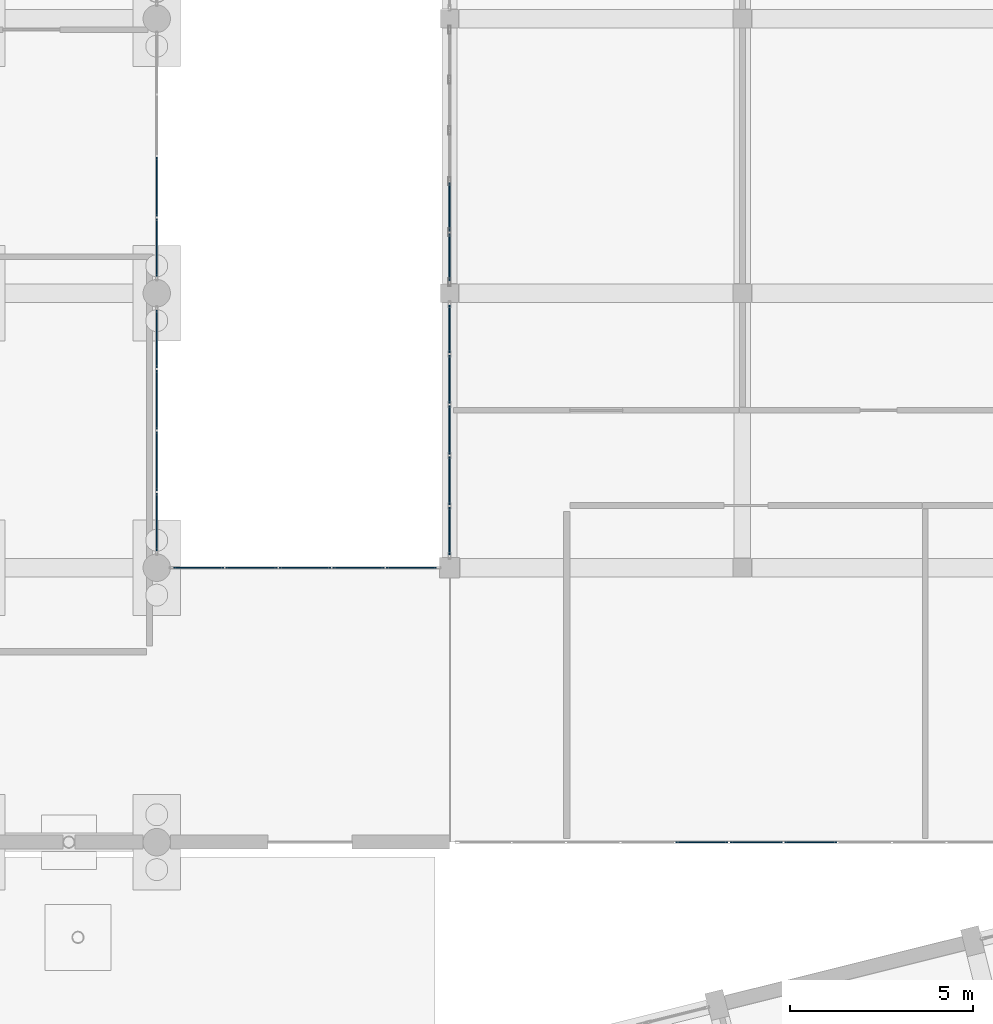
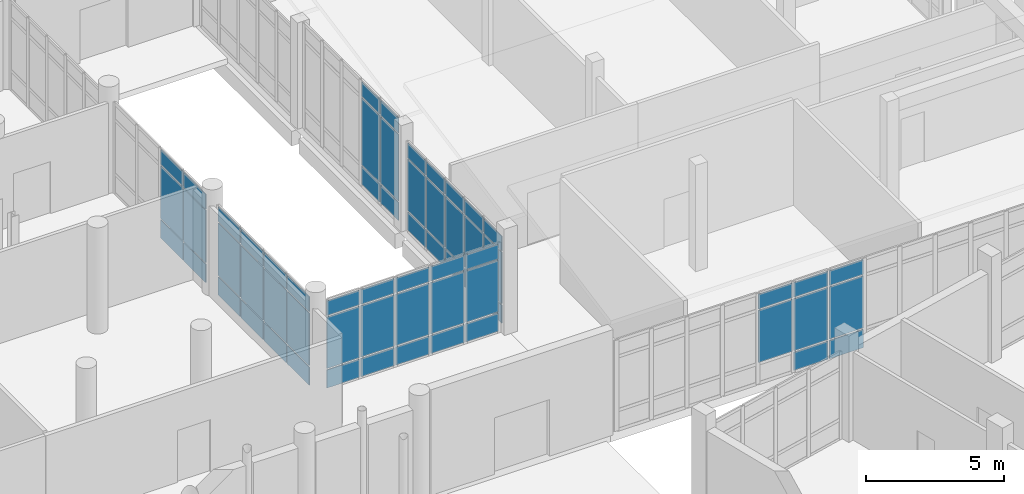
# One storey, part 132 of 173: 62 plates, 6 elements without a shape of their own.
"""IFC4 building model written with IfcOpenShell, lengths in metres."""

from ifc_helpers import new_model, si_unit, direction, frame, origin, origin_2d, place, context, subcontext, project, spatial, rectangle, extrude, material, layer, layer_set, type_object, element, aggregate, save


model = new_model("IFC4")

# Units and contexts
model_context = context("Model", 3, precision=1e-05, world=origin(), true_north=direction((0.0, 1.0)))
body_context = subcontext(model_context, "Body", "Model", "MODEL_VIEW")
ifc_project = project(units=[si_unit("LENGTHUNIT", "METRE"), si_unit("AREAUNIT", "SQUARE_METRE"), si_unit("VOLUMEUNIT", "CUBIC_METRE"), si_unit("PLANEANGLEUNIT", "RADIAN"), si_unit("MASSUNIT", "GRAM", prefix="KILO")], contexts=[model_context])

# Site, building, storey
site_placement = place(None, origin())
site = spatial("IfcSite", under=ifc_project, at=site_placement, CompositionType="ELEMENT")
building_placement = place(site_placement, origin())
building = spatial("IfcBuilding", under=site, at=building_placement, Name="Mawjan Specialist Oncology Clinic", CompositionType="ELEMENT")
storey_placement = place(building_placement, origin())
storey = spatial("IfcBuildingStorey", under=building, at=storey_placement, Name="L00", CompositionType="ELEMENT", Elevation=0.0)

# Curtain wall, plates
ifc_material_1 = material(Name="Unitised spectrally selective aluminium curtain wall", Category="aluminium")
ifc_layer_1 = layer(ifc_material_1, 0.179931640625, Name="Unitised spectrally selective aluminium curtain wall", Category="aluminium")
ifc_layer_set_1 = layer_set([ifc_layer_1], Name="Unitised spectrally selective aluminium curtain wall")
curtain_wall_type_1 = type_object("IfcCurtainWallType", Name="CW-20", PredefinedType="NOTDEFINED", material=ifc_layer_set_1)
curtain_wall_1_placement = place(storey_placement, origin())
curtain_wall_1 = element("IfcCurtainWall", 1, at=curtain_wall_1_placement, inside=storey, type_object=curtain_wall_type_1, Name="L00 Unitised Curtain Wall CW-L00-036", PredefinedType="NOTDEFINED")
ifc_material_2 = material(Name="Spectrally selective double low-E glazing", Category="glass")
ifc_layer_2 = layer(ifc_material_2, 0.035888671875, Name="Spectrally selective double low-E glazing", Category="glass")
ifc_layer_set_2 = layer_set([ifc_layer_2], Name="Spectrally selective double low-E glazing")
plate_type = type_object("IfcPlateType", Name="CW-P36", PredefinedType="CURTAIN_PANEL", material=ifc_layer_set_2)
plate_1_placement = place(storey_placement, frame((125.86328125, 45.800048828125, 0.06494140625), z_axis=(0.0, 0.0, 1.0), x_axis=(-1.0, 0.0, 0.0)))
plate_1 = element("IfcPlate", 2, at=plate_1_placement, type_object=plate_type, Name="CW-20 panel 9.1", PredefinedType="CURTAIN_PANEL", context=body_context, shape_type="SweptSolid", body=[
    extrude(rectangle(XDim=1.41943359375, YDim=0.035888671875, at=origin_2d()), origin(), (0.0, 0.0, 1.0), 0.802490234375),
])
plate_2_placement = place(storey_placement, frame((125.86328125, 45.800048828125, 0.932373046875), z_axis=(0.0, 0.0, 1.0), x_axis=(-1.0, 0.0, 0.0)))
plate_2 = element("IfcPlate", 3, at=plate_2_placement, type_object=plate_type, Name="CW-20 panel 9.2", PredefinedType="CURTAIN_PANEL", context=body_context, shape_type="SweptSolid", body=[
    extrude(rectangle(XDim=1.41943359375, YDim=0.035888671875, at=origin_2d()), origin(), (0.0, 0.0, 1.0), 2.3046875),
])
plate_3_placement = place(storey_placement, frame((125.86328125, 45.800048828125, 3.30224609375), z_axis=(0.0, 0.0, 1.0), x_axis=(-1.0, 0.0, 0.0)))
plate_3 = element("IfcPlate", 4, at=plate_3_placement, type_object=plate_type, Name="CW-20 panel 9.3", PredefinedType="CURTAIN_PANEL", context=body_context, shape_type="SweptSolid", body=[
    extrude(rectangle(XDim=1.41943359375, YDim=0.035888671875, at=origin_2d()), origin(), (0.0, 0.0, 1.0), 0.652587890625),
])
plate_4_placement = place(storey_placement, frame((124.37890625, 45.800048828125, 0.06494140625), z_axis=(0.0, 0.0, 1.0), x_axis=(-1.0, 0.0, 0.0)))
plate_4 = element("IfcPlate", 5, at=plate_4_placement, type_object=plate_type, Name="CW-20 panel 10.1", PredefinedType="CURTAIN_PANEL", context=body_context, shape_type="SweptSolid", body=[
    extrude(rectangle(XDim=1.41943359375, YDim=0.035888671875, at=origin_2d()), origin(), (0.0, 0.0, 1.0), 0.802490234375),
])
plate_5_placement = place(storey_placement, frame((124.37890625, 45.800048828125, 0.932373046875), z_axis=(0.0, 0.0, 1.0), x_axis=(-1.0, 0.0, 0.0)))
plate_5 = element("IfcPlate", 6, at=plate_5_placement, type_object=plate_type, Name="CW-20 panel 10.2", PredefinedType="CURTAIN_PANEL", context=body_context, shape_type="SweptSolid", body=[
    extrude(rectangle(XDim=1.41943359375, YDim=0.035888671875, at=origin_2d()), origin(), (0.0, 0.0, 1.0), 2.3046875),
])
plate_6_placement = place(storey_placement, frame((124.37890625, 45.800048828125, 3.30224609375), z_axis=(0.0, 0.0, 1.0), x_axis=(-1.0, 0.0, 0.0)))
plate_6 = element("IfcPlate", 7, at=plate_6_placement, type_object=plate_type, Name="CW-20 panel 10.3", PredefinedType="CURTAIN_PANEL", context=body_context, shape_type="SweptSolid", body=[
    extrude(rectangle(XDim=1.41943359375, YDim=0.035888671875, at=origin_2d()), origin(), (0.0, 0.0, 1.0), 0.652587890625),
])
plate_7_placement = place(storey_placement, frame((122.89453125, 45.800048828125, 0.932373046875), z_axis=(0.0, 0.0, 1.0), x_axis=(-1.0, 0.0, 0.0)))
plate_7 = element("IfcPlate", 8, at=plate_7_placement, type_object=plate_type, Name="CW-20 panel 11.2", PredefinedType="CURTAIN_PANEL", context=body_context, shape_type="SweptSolid", body=[
    extrude(rectangle(XDim=1.41943359375, YDim=0.035888671875, at=origin_2d()), origin(), (0.0, 0.0, 1.0), 2.3046875),
])
plate_8_placement = place(storey_placement, frame((122.89453125, 45.800048828125, 3.30224609375), z_axis=(0.0, 0.0, 1.0), x_axis=(-1.0, 0.0, 0.0)))
plate_8 = element("IfcPlate", 9, at=plate_8_placement, type_object=plate_type, Name="CW-20 panel 11.3", PredefinedType="CURTAIN_PANEL", context=body_context, shape_type="SweptSolid", body=[
    extrude(rectangle(XDim=1.41943359375, YDim=0.035888671875, at=origin_2d()), origin(), (0.0, 0.0, 1.0), 0.652587890625),
])
aggregate(curtain_wall_1, [plate_1, plate_2, plate_3, plate_4, plate_5, plate_6, plate_7, plate_8])

ifc_material_3 = material(Name="Unitised spectrally selective aluminium curtain wall", Category="aluminium")
ifc_layer_3 = layer(ifc_material_3, 0.179931640625, Name="Unitised spectrally selective aluminium curtain wall", Category="aluminium")
ifc_layer_set_3 = layer_set([ifc_layer_3], Name="Unitised spectrally selective aluminium curtain wall")
curtain_wall_type_2 = type_object("IfcCurtainWallType", Name="CW-30", PredefinedType="NOTDEFINED", material=ifc_layer_set_3)
curtain_wall_2_placement = place(storey_placement, origin())
curtain_wall_2 = element("IfcCurtainWall", 10, at=curtain_wall_2_placement, inside=storey, type_object=curtain_wall_type_2, Name="L00 Unitised Curtain Wall CW-L00-064", PredefinedType="NOTDEFINED")
plate_9_placement = place(storey_placement, frame((116.0, 54.3046875, 0.06494140625), z_axis=(0.0, 0.0, 1.0), x_axis=(0.0, 1.0, 0.0)))
plate_9 = element("IfcPlate", 11, at=plate_9_placement, type_object=plate_type, Name="CW-30 panel 1.1", PredefinedType="CURTAIN_PANEL", context=body_context, shape_type="SweptSolid", body=[
    extrude(rectangle(XDim=1.28955078125, YDim=0.035888671875, at=origin_2d()), origin(), (0.0, 0.0, 1.0), 0.802490234375),
])
plate_10_placement = place(storey_placement, frame((116.0, 54.3046875, 0.932373046875), z_axis=(0.0, 0.0, 1.0), x_axis=(0.0, 1.0, 0.0)))
plate_10 = element("IfcPlate", 12, at=plate_10_placement, type_object=plate_type, Name="CW-30 panel 1.2", PredefinedType="CURTAIN_PANEL", context=body_context, shape_type="SweptSolid", body=[
    extrude(rectangle(XDim=1.28955078125, YDim=0.035888671875, at=origin_2d()), origin(), (0.0, 0.0, 1.0), 2.27001953125),
])
plate_11_placement = place(storey_placement, frame((116.0, 54.3046875, 3.267578125), z_axis=(0.0, 0.0, 1.0), x_axis=(0.0, 1.0, 0.0)))
plate_11 = element("IfcPlate", 13, at=plate_11_placement, type_object=plate_type, Name="CW-30 panel 1.3", PredefinedType="CURTAIN_PANEL", context=body_context, shape_type="SweptSolid", body=[
    extrude(rectangle(XDim=1.28955078125, YDim=0.035888671875, at=origin_2d()), origin(), (0.0, 0.0, 1.0), 0.652587890625),
])
plate_12_placement = place(storey_placement, frame((116.0, 55.675537109375, 0.06494140625), z_axis=(0.0, 0.0, 1.0), x_axis=(0.0, 1.0, 0.0)))
plate_12 = element("IfcPlate", 14, at=plate_12_placement, type_object=plate_type, Name="CW-30 panel 2.1", PredefinedType="CURTAIN_PANEL", context=body_context, shape_type="SweptSolid", body=[
    extrude(rectangle(XDim=1.322021484375, YDim=0.035888671875, at=origin_2d()), origin(), (0.0, 0.0, 1.0), 0.802490234375),
])
plate_13_placement = place(storey_placement, frame((116.0, 55.675537109375, 0.932373046875), z_axis=(0.0, 0.0, 1.0), x_axis=(0.0, 1.0, 0.0)))
plate_13 = element("IfcPlate", 15, at=plate_13_placement, type_object=plate_type, Name="CW-30 panel 2.2", PredefinedType="CURTAIN_PANEL", context=body_context, shape_type="SweptSolid", body=[
    extrude(rectangle(XDim=1.322021484375, YDim=0.035888671875, at=origin_2d()), origin(), (0.0, 0.0, 1.0), 2.27001953125),
])
plate_14_placement = place(storey_placement, frame((116.0, 55.675537109375, 3.267578125), z_axis=(0.0, 0.0, 1.0), x_axis=(0.0, 1.0, 0.0)))
plate_14 = element("IfcPlate", 16, at=plate_14_placement, type_object=plate_type, Name="CW-30 panel 2.3", PredefinedType="CURTAIN_PANEL", context=body_context, shape_type="SweptSolid", body=[
    extrude(rectangle(XDim=1.322021484375, YDim=0.035888671875, at=origin_2d()), origin(), (0.0, 0.0, 1.0), 0.652587890625),
])
plate_15_placement = place(storey_placement, frame((116.0, 57.0625, 0.06494140625), z_axis=(0.0, 0.0, 1.0), x_axis=(0.0, 1.0, 0.0)))
plate_15 = element("IfcPlate", 17, at=plate_15_placement, type_object=plate_type, Name="CW-30 panel 3.1", PredefinedType="CURTAIN_PANEL", context=body_context, shape_type="SweptSolid", body=[
    extrude(rectangle(XDim=1.322021484375, YDim=0.035888671875, at=origin_2d()), origin(), (0.0, 0.0, 1.0), 0.802490234375),
])
plate_16_placement = place(storey_placement, frame((116.0, 57.0625, 0.932373046875), z_axis=(0.0, 0.0, 1.0), x_axis=(0.0, 1.0, 0.0)))
plate_16 = element("IfcPlate", 18, at=plate_16_placement, type_object=plate_type, Name="CW-30 panel 3.2", PredefinedType="CURTAIN_PANEL", context=body_context, shape_type="SweptSolid", body=[
    extrude(rectangle(XDim=1.322021484375, YDim=0.035888671875, at=origin_2d()), origin(), (0.0, 0.0, 1.0), 2.27001953125),
])
plate_17_placement = place(storey_placement, frame((116.0, 57.0625, 3.267578125), z_axis=(0.0, 0.0, 1.0), x_axis=(0.0, 1.0, 0.0)))
plate_17 = element("IfcPlate", 19, at=plate_17_placement, type_object=plate_type, Name="CW-30 panel 3.3", PredefinedType="CURTAIN_PANEL", context=body_context, shape_type="SweptSolid", body=[
    extrude(rectangle(XDim=1.322021484375, YDim=0.035888671875, at=origin_2d()), origin(), (0.0, 0.0, 1.0), 0.652587890625),
])
plate_18_placement = place(storey_placement, frame((116.0, 58.449462890625, 0.06494140625), z_axis=(0.0, 0.0, 1.0), x_axis=(0.0, 1.0, 0.0)))
plate_18 = element("IfcPlate", 20, at=plate_18_placement, type_object=plate_type, Name="CW-30 panel 4.1", PredefinedType="CURTAIN_PANEL", context=body_context, shape_type="SweptSolid", body=[
    extrude(rectangle(XDim=1.322021484375, YDim=0.035888671875, at=origin_2d()), origin(), (0.0, 0.0, 1.0), 0.802490234375),
])
plate_19_placement = place(storey_placement, frame((116.0, 58.449462890625, 0.932373046875), z_axis=(0.0, 0.0, 1.0), x_axis=(0.0, 1.0, 0.0)))
plate_19 = element("IfcPlate", 21, at=plate_19_placement, type_object=plate_type, Name="CW-30 panel 4.2", PredefinedType="CURTAIN_PANEL", context=body_context, shape_type="SweptSolid", body=[
    extrude(rectangle(XDim=1.322021484375, YDim=0.035888671875, at=origin_2d()), origin(), (0.0, 0.0, 1.0), 2.27001953125),
])
plate_20_placement = place(storey_placement, frame((116.0, 58.449462890625, 3.267578125), z_axis=(0.0, 0.0, 1.0), x_axis=(0.0, 1.0, 0.0)))
plate_20 = element("IfcPlate", 22, at=plate_20_placement, type_object=plate_type, Name="CW-30 panel 4.3", PredefinedType="CURTAIN_PANEL", context=body_context, shape_type="SweptSolid", body=[
    extrude(rectangle(XDim=1.322021484375, YDim=0.035888671875, at=origin_2d()), origin(), (0.0, 0.0, 1.0), 0.652587890625),
])
plate_21_placement = place(storey_placement, frame((116.0, 59.8203125, 0.06494140625), z_axis=(0.0, 0.0, 1.0), x_axis=(0.0, 1.0, 0.0)))
plate_21 = element("IfcPlate", 23, at=plate_21_placement, type_object=plate_type, Name="CW-30 panel 5.1", PredefinedType="CURTAIN_PANEL", context=body_context, shape_type="SweptSolid", body=[
    extrude(rectangle(XDim=1.28955078125, YDim=0.035888671875, at=origin_2d()), origin(), (0.0, 0.0, 1.0), 0.802490234375),
])
plate_22_placement = place(storey_placement, frame((116.0, 59.8203125, 0.932373046875), z_axis=(0.0, 0.0, 1.0), x_axis=(0.0, 1.0, 0.0)))
plate_22 = element("IfcPlate", 24, at=plate_22_placement, type_object=plate_type, Name="CW-30 panel 5.2", PredefinedType="CURTAIN_PANEL", context=body_context, shape_type="SweptSolid", body=[
    extrude(rectangle(XDim=1.28955078125, YDim=0.035888671875, at=origin_2d()), origin(), (0.0, 0.0, 1.0), 2.27001953125),
])
plate_23_placement = place(storey_placement, frame((116.0, 59.8203125, 3.267578125), z_axis=(0.0, 0.0, 1.0), x_axis=(0.0, 1.0, 0.0)))
plate_23 = element("IfcPlate", 25, at=plate_23_placement, type_object=plate_type, Name="CW-30 panel 5.3", PredefinedType="CURTAIN_PANEL", context=body_context, shape_type="SweptSolid", body=[
    extrude(rectangle(XDim=1.28955078125, YDim=0.035888671875, at=origin_2d()), origin(), (0.0, 0.0, 1.0), 0.652587890625),
])
aggregate(curtain_wall_2, [plate_9, plate_10, plate_11, plate_12, plate_13, plate_14, plate_15, plate_16, plate_17, plate_18, plate_19, plate_20, plate_21, plate_22, plate_23])

ifc_material_4 = material(Name="Unitised spectrally selective aluminium curtain wall", Category="aluminium")
ifc_layer_4 = layer(ifc_material_4, 0.179931640625, Name="Unitised spectrally selective aluminium curtain wall", Category="aluminium")
ifc_layer_set_4 = layer_set([ifc_layer_4], Name="Unitised spectrally selective aluminium curtain wall")
curtain_wall_type_3 = type_object("IfcCurtainWallType", Name="CW-11", PredefinedType="NOTDEFINED", material=ifc_layer_set_4)
curtain_wall_3_placement = place(storey_placement, origin())
curtain_wall_3 = element("IfcCurtainWall", 26, at=curtain_wall_3_placement, inside=storey, type_object=curtain_wall_type_3, Name="L00 Unitised Curtain Wall CW-L00-065", PredefinedType="NOTDEFINED")
plate_24_placement = place(storey_placement, frame((116.0, 61.783447265625, 0.070068359375), z_axis=(0.0, 0.0, 1.0), x_axis=(0.0, 1.0, 0.0)))
plate_24 = element("IfcPlate", 27, at=plate_24_placement, type_object=plate_type, Name="CW-11 panel 1.1", PredefinedType="CURTAIN_PANEL", context=body_context, shape_type="SweptSolid", body=[
    extrude(rectangle(XDim=1.287109375, YDim=0.035888671875, at=origin_2d()), origin(), (0.0, 0.0, 1.0), 0.794921875),
])
plate_25_placement = place(storey_placement, frame((116.0, 61.783447265625, 0.93505859375), z_axis=(0.0, 0.0, 1.0), x_axis=(0.0, 1.0, 0.0)))
plate_25 = element("IfcPlate", 28, at=plate_25_placement, type_object=plate_type, Name="CW-11 panel 1.2", PredefinedType="CURTAIN_PANEL", context=body_context, shape_type="SweptSolid", body=[
    extrude(rectangle(XDim=1.287109375, YDim=0.035888671875, at=origin_2d()), origin(), (0.0, 0.0, 1.0), 2.949951171875),
])
plate_26_placement = place(storey_placement, frame((116.0, 61.783447265625, 3.955078125), z_axis=(0.0, 0.0, 1.0), x_axis=(0.0, 1.0, 0.0)))
plate_26 = element("IfcPlate", 29, at=plate_26_placement, type_object=plate_type, Name="CW-11 panel 1.3", PredefinedType="CURTAIN_PANEL", context=body_context, shape_type="SweptSolid", body=[
    extrude(rectangle(XDim=1.287109375, YDim=0.035888671875, at=origin_2d()), origin(), (0.0, 0.0, 1.0), 0.64501953125),
])
plate_27_placement = place(storey_placement, frame((116.0, 63.157958984375, 0.070068359375), z_axis=(0.0, 0.0, 1.0), x_axis=(0.0, 1.0, 0.0)))
plate_27 = element("IfcPlate", 30, at=plate_27_placement, type_object=plate_type, Name="CW-11 panel 2.1", PredefinedType="CURTAIN_PANEL", context=body_context, shape_type="SweptSolid", body=[
    extrude(rectangle(XDim=1.322021484375, YDim=0.035888671875, at=origin_2d()), origin(), (0.0, 0.0, 1.0), 0.794921875),
])
plate_28_placement = place(storey_placement, frame((116.0, 63.157958984375, 0.93505859375), z_axis=(0.0, 0.0, 1.0), x_axis=(0.0, 1.0, 0.0)))
plate_28 = element("IfcPlate", 31, at=plate_28_placement, type_object=plate_type, Name="CW-11 panel 2.2", PredefinedType="CURTAIN_PANEL", context=body_context, shape_type="SweptSolid", body=[
    extrude(rectangle(XDim=1.322021484375, YDim=0.035888671875, at=origin_2d()), origin(), (0.0, 0.0, 1.0), 2.949951171875),
])
plate_29_placement = place(storey_placement, frame((116.0, 63.157958984375, 3.955078125), z_axis=(0.0, 0.0, 1.0), x_axis=(0.0, 1.0, 0.0)))
plate_29 = element("IfcPlate", 32, at=plate_29_placement, type_object=plate_type, Name="CW-11 panel 2.3", PredefinedType="CURTAIN_PANEL", context=body_context, shape_type="SweptSolid", body=[
    extrude(rectangle(XDim=1.322021484375, YDim=0.035888671875, at=origin_2d()), origin(), (0.0, 0.0, 1.0), 0.64501953125),
])
aggregate(curtain_wall_3, [plate_24, plate_25, plate_26, plate_27, plate_28, plate_29])

ifc_material_5 = material(Name="Unitised spectrally selective aluminium curtain wall", Category="aluminium")
ifc_layer_5 = layer(ifc_material_5, 0.179931640625, Name="Unitised spectrally selective aluminium curtain wall", Category="aluminium")
ifc_layer_set_5 = layer_set([ifc_layer_5], Name="Unitised spectrally selective aluminium curtain wall")
curtain_wall_type_4 = type_object("IfcCurtainWallType", Name="CW-02", PredefinedType="NOTDEFINED", material=ifc_layer_set_5)
curtain_wall_4_placement = place(storey_placement, origin())
curtain_wall_4 = element("IfcCurtainWall", 33, at=curtain_wall_4_placement, inside=storey, type_object=curtain_wall_type_4, Name="L00 Unitised Curtain Wall CW-L00-068", PredefinedType="NOTDEFINED")
plate_30_placement = place(storey_placement, frame((108.0, 63.711181640625, 0.06494140625), z_axis=(0.0, 0.0, 1.0), x_axis=(0.0, -1.0, 0.0)))
plate_30 = element("IfcPlate", 34, at=plate_30_placement, type_object=plate_type, Name="CW-02 panel 3.1", PredefinedType="CURTAIN_PANEL", context=body_context, shape_type="SweptSolid", body=[
    extrude(rectangle(XDim=1.612548828125, YDim=0.035888671875, at=origin_2d()), origin(), (0.0, 0.0, 1.0), 0.802490234375),
])
plate_31_placement = place(storey_placement, frame((108.0, 63.711181640625, 0.9326171875), z_axis=(0.0, 0.0, 1.0), x_axis=(0.0, -1.0, 0.0)))
plate_31 = element("IfcPlate", 35, at=plate_31_placement, type_object=plate_type, Name="CW-02 panel 3.2", PredefinedType="CURTAIN_PANEL", context=body_context, shape_type="SweptSolid", body=[
    extrude(rectangle(XDim=1.612548828125, YDim=0.035888671875, at=origin_2d()), origin(), (0.0, 0.0, 1.0), 2.320068359375),
])
plate_32_placement = place(storey_placement, frame((108.0, 63.711181640625, 3.3173828125), z_axis=(0.0, 0.0, 1.0), x_axis=(0.0, -1.0, 0.0)))
plate_32 = element("IfcPlate", 36, at=plate_32_placement, type_object=plate_type, Name="CW-02 panel 3.3", PredefinedType="CURTAIN_PANEL", context=body_context, shape_type="SweptSolid", body=[
    extrude(rectangle(XDim=1.612548828125, YDim=0.035888671875, at=origin_2d()), origin(), (0.0, 0.0, 1.0), 0.652587890625),
])
plate_33_placement = place(storey_placement, frame((108.0, 62.050048828125, 0.06494140625), z_axis=(0.0, 0.0, 1.0), x_axis=(0.0, -1.0, 0.0)))
plate_33 = element("IfcPlate", 37, at=plate_33_placement, type_object=plate_type, Name="CW-02 panel 4.1", PredefinedType="CURTAIN_PANEL", context=body_context, shape_type="SweptSolid", body=[
    extrude(rectangle(XDim=1.580078125, YDim=0.035888671875, at=origin_2d()), origin(), (0.0, 0.0, 1.0), 0.802490234375),
])
plate_34_placement = place(storey_placement, frame((108.0, 62.050048828125, 0.9326171875), z_axis=(0.0, 0.0, 1.0), x_axis=(0.0, -1.0, 0.0)))
plate_34 = element("IfcPlate", 38, at=plate_34_placement, type_object=plate_type, Name="CW-02 panel 4.2", PredefinedType="CURTAIN_PANEL", context=body_context, shape_type="SweptSolid", body=[
    extrude(rectangle(XDim=1.580078125, YDim=0.035888671875, at=origin_2d()), origin(), (0.0, 0.0, 1.0), 2.320068359375),
])
plate_35_placement = place(storey_placement, frame((108.0, 62.050048828125, 3.3173828125), z_axis=(0.0, 0.0, 1.0), x_axis=(0.0, -1.0, 0.0)))
plate_35 = element("IfcPlate", 39, at=plate_35_placement, type_object=plate_type, Name="CW-02 panel 4.3", PredefinedType="CURTAIN_PANEL", context=body_context, shape_type="SweptSolid", body=[
    extrude(rectangle(XDim=1.580078125, YDim=0.035888671875, at=origin_2d()), origin(), (0.0, 0.0, 1.0), 0.652587890625),
])
aggregate(curtain_wall_4, [plate_30, plate_31, plate_32, plate_33, plate_34, plate_35])

curtain_wall_5_placement = place(storey_placement, origin())
curtain_wall_5 = element("IfcCurtainWall", 40, at=curtain_wall_5_placement, inside=storey, type_object=curtain_wall_type_4, Name="L00 Unitised Curtain Wall CW-L00-069", PredefinedType="NOTDEFINED")
plate_36_placement = place(storey_placement, frame((108.0, 59.550048828125, 0.06494140625), z_axis=(0.0, 0.0, 1.0), x_axis=(0.0, -1.0, 0.0)))
plate_36 = element("IfcPlate", 41, at=plate_36_placement, type_object=plate_type, Name="CW-02 panel 1.1", PredefinedType="CURTAIN_PANEL", context=body_context, shape_type="SweptSolid", body=[
    extrude(rectangle(XDim=1.580078125, YDim=0.035888671875, at=origin_2d()), origin(), (0.0, 0.0, 1.0), 0.802490234375),
])
plate_37_placement = place(storey_placement, frame((108.0, 59.550048828125, 0.9326171875), z_axis=(0.0, 0.0, 1.0), x_axis=(0.0, -1.0, 0.0)))
plate_37 = element("IfcPlate", 42, at=plate_37_placement, type_object=plate_type, Name="CW-02 panel 1.2", PredefinedType="CURTAIN_PANEL", context=body_context, shape_type="SweptSolid", body=[
    extrude(rectangle(XDim=1.580078125, YDim=0.035888671875, at=origin_2d()), origin(), (0.0, 0.0, 1.0), 2.320068359375),
])
plate_38_placement = place(storey_placement, frame((108.0, 59.550048828125, 3.3173828125), z_axis=(0.0, 0.0, 1.0), x_axis=(0.0, -1.0, 0.0)))
plate_38 = element("IfcPlate", 43, at=plate_38_placement, type_object=plate_type, Name="CW-02 panel 1.3", PredefinedType="CURTAIN_PANEL", context=body_context, shape_type="SweptSolid", body=[
    extrude(rectangle(XDim=1.580078125, YDim=0.035888671875, at=origin_2d()), origin(), (0.0, 0.0, 1.0), 0.652587890625),
])
plate_39_placement = place(storey_placement, frame((108.0, 57.888671875, 0.06494140625), z_axis=(0.0, 0.0, 1.0), x_axis=(0.0, -1.0, 0.0)))
plate_39 = element("IfcPlate", 44, at=plate_39_placement, type_object=plate_type, Name="CW-02 panel 2.1", PredefinedType="CURTAIN_PANEL", context=body_context, shape_type="SweptSolid", body=[
    extrude(rectangle(XDim=1.612548828125, YDim=0.035888671875, at=origin_2d()), origin(), (0.0, 0.0, 1.0), 0.802490234375),
])
plate_40_placement = place(storey_placement, frame((108.0, 57.888671875, 0.9326171875), z_axis=(0.0, 0.0, 1.0), x_axis=(0.0, -1.0, 0.0)))
plate_40 = element("IfcPlate", 45, at=plate_40_placement, type_object=plate_type, Name="CW-02 panel 2.2", PredefinedType="CURTAIN_PANEL", context=body_context, shape_type="SweptSolid", body=[
    extrude(rectangle(XDim=1.612548828125, YDim=0.035888671875, at=origin_2d()), origin(), (0.0, 0.0, 1.0), 2.320068359375),
])
plate_41_placement = place(storey_placement, frame((108.0, 57.888671875, 3.3173828125), z_axis=(0.0, 0.0, 1.0), x_axis=(0.0, -1.0, 0.0)))
plate_41 = element("IfcPlate", 46, at=plate_41_placement, type_object=plate_type, Name="CW-02 panel 2.3", PredefinedType="CURTAIN_PANEL", context=body_context, shape_type="SweptSolid", body=[
    extrude(rectangle(XDim=1.612548828125, YDim=0.035888671875, at=origin_2d()), origin(), (0.0, 0.0, 1.0), 0.652587890625),
])
plate_42_placement = place(storey_placement, frame((108.0, 56.211181640625, 0.06494140625), z_axis=(0.0, 0.0, 1.0), x_axis=(0.0, -1.0, 0.0)))
plate_42 = element("IfcPlate", 47, at=plate_42_placement, type_object=plate_type, Name="CW-02 panel 3.1", PredefinedType="CURTAIN_PANEL", context=body_context, shape_type="SweptSolid", body=[
    extrude(rectangle(XDim=1.612548828125, YDim=0.035888671875, at=origin_2d()), origin(), (0.0, 0.0, 1.0), 0.802490234375),
])
plate_43_placement = place(storey_placement, frame((108.0, 56.211181640625, 0.9326171875), z_axis=(0.0, 0.0, 1.0), x_axis=(0.0, -1.0, 0.0)))
plate_43 = element("IfcPlate", 48, at=plate_43_placement, type_object=plate_type, Name="CW-02 panel 3.2", PredefinedType="CURTAIN_PANEL", context=body_context, shape_type="SweptSolid", body=[
    extrude(rectangle(XDim=1.612548828125, YDim=0.035888671875, at=origin_2d()), origin(), (0.0, 0.0, 1.0), 2.320068359375),
])
plate_44_placement = place(storey_placement, frame((108.0, 56.211181640625, 3.3173828125), z_axis=(0.0, 0.0, 1.0), x_axis=(0.0, -1.0, 0.0)))
plate_44 = element("IfcPlate", 49, at=plate_44_placement, type_object=plate_type, Name="CW-02 panel 3.3", PredefinedType="CURTAIN_PANEL", context=body_context, shape_type="SweptSolid", body=[
    extrude(rectangle(XDim=1.612548828125, YDim=0.035888671875, at=origin_2d()), origin(), (0.0, 0.0, 1.0), 0.652587890625),
])
plate_45_placement = place(storey_placement, frame((108.0, 54.550048828125, 0.06494140625), z_axis=(0.0, 0.0, 1.0), x_axis=(0.0, -1.0, 0.0)))
plate_45 = element("IfcPlate", 50, at=plate_45_placement, type_object=plate_type, Name="CW-02 panel 4.1", PredefinedType="CURTAIN_PANEL", context=body_context, shape_type="SweptSolid", body=[
    extrude(rectangle(XDim=1.580078125, YDim=0.035888671875, at=origin_2d()), origin(), (0.0, 0.0, 1.0), 0.802490234375),
])
plate_46_placement = place(storey_placement, frame((108.0, 54.550048828125, 0.9326171875), z_axis=(0.0, 0.0, 1.0), x_axis=(0.0, -1.0, 0.0)))
plate_46 = element("IfcPlate", 51, at=plate_46_placement, type_object=plate_type, Name="CW-02 panel 4.2", PredefinedType="CURTAIN_PANEL", context=body_context, shape_type="SweptSolid", body=[
    extrude(rectangle(XDim=1.580078125, YDim=0.035888671875, at=origin_2d()), origin(), (0.0, 0.0, 1.0), 2.320068359375),
])
plate_47_placement = place(storey_placement, frame((108.0, 54.550048828125, 3.3173828125), z_axis=(0.0, 0.0, 1.0), x_axis=(0.0, -1.0, 0.0)))
plate_47 = element("IfcPlate", 52, at=plate_47_placement, type_object=plate_type, Name="CW-02 panel 4.3", PredefinedType="CURTAIN_PANEL", context=body_context, shape_type="SweptSolid", body=[
    extrude(rectangle(XDim=1.580078125, YDim=0.035888671875, at=origin_2d()), origin(), (0.0, 0.0, 1.0), 0.652587890625),
])
aggregate(curtain_wall_5, [plate_36, plate_37, plate_38, plate_39, plate_40, plate_41, plate_42, plate_43, plate_44, plate_45, plate_46, plate_47])

ifc_material_6 = material(Name="Unitised spectrally selective aluminium curtain wall", Category="aluminium")
ifc_layer_6 = layer(ifc_material_6, 0.179931640625, Name="Unitised spectrally selective aluminium curtain wall", Category="aluminium")
ifc_layer_set_6 = layer_set([ifc_layer_6], Name="Unitised spectrally selective aluminium curtain wall")
curtain_wall_type_5 = type_object("IfcCurtainWallType", Name="CW-31", PredefinedType="NOTDEFINED", material=ifc_layer_set_6)
curtain_wall_6_placement = place(storey_placement, origin())
curtain_wall_6 = element("IfcCurtainWall", 53, at=curtain_wall_6_placement, inside=storey, type_object=curtain_wall_type_5, Name="L00 Unitised Curtain Wall CW-L00-070", PredefinedType="NOTDEFINED")
plate_48_placement = place(storey_placement, frame((109.142333984375, 53.300048828125, 0.06494140625), z_axis=(0.0, 0.0, 1.0), x_axis=(1.0, 0.0, 0.0)))
plate_48 = element("IfcPlate", 54, at=plate_48_placement, type_object=plate_type, Name="CW-31 panel 1.1", PredefinedType="CURTAIN_PANEL", context=body_context, shape_type="SweptSolid", body=[
    extrude(rectangle(XDim=1.364501953125, YDim=0.035888671875, at=origin_2d()), origin(), (0.0, 0.0, 1.0), 0.802490234375),
])
plate_49_placement = place(storey_placement, frame((109.142333984375, 53.300048828125, 0.932373046875), z_axis=(0.0, 0.0, 1.0), x_axis=(1.0, 0.0, 0.0)))
plate_49 = element("IfcPlate", 55, at=plate_49_placement, type_object=plate_type, Name="CW-31 panel 1.2", PredefinedType="CURTAIN_PANEL", context=body_context, shape_type="SweptSolid", body=[
    extrude(rectangle(XDim=1.364501953125, YDim=0.035888671875, at=origin_2d()), origin(), (0.0, 0.0, 1.0), 2.27001953125),
])
plate_50_placement = place(storey_placement, frame((109.142333984375, 53.300048828125, 3.267578125), z_axis=(0.0, 0.0, 1.0), x_axis=(1.0, 0.0, 0.0)))
plate_50 = element("IfcPlate", 56, at=plate_50_placement, type_object=plate_type, Name="CW-31 panel 1.3", PredefinedType="CURTAIN_PANEL", context=body_context, shape_type="SweptSolid", body=[
    extrude(rectangle(XDim=1.364501953125, YDim=0.035888671875, at=origin_2d()), origin(), (0.0, 0.0, 1.0), 0.652587890625),
])
plate_51_placement = place(storey_placement, frame((110.587890625, 53.300048828125, 0.06494140625), z_axis=(0.0, 0.0, 1.0), x_axis=(1.0, 0.0, 0.0)))
plate_51 = element("IfcPlate", 57, at=plate_51_placement, type_object=plate_type, Name="CW-31 panel 2.1", PredefinedType="CURTAIN_PANEL", context=body_context, shape_type="SweptSolid", body=[
    extrude(rectangle(XDim=1.39697265625, YDim=0.035888671875, at=origin_2d()), origin(), (0.0, 0.0, 1.0), 0.802490234375),
])
plate_52_placement = place(storey_placement, frame((110.587890625, 53.300048828125, 0.932373046875), z_axis=(0.0, 0.0, 1.0), x_axis=(1.0, 0.0, 0.0)))
plate_52 = element("IfcPlate", 58, at=plate_52_placement, type_object=plate_type, Name="CW-31 panel 2.2", PredefinedType="CURTAIN_PANEL", context=body_context, shape_type="SweptSolid", body=[
    extrude(rectangle(XDim=1.39697265625, YDim=0.035888671875, at=origin_2d()), origin(), (0.0, 0.0, 1.0), 2.27001953125),
])
plate_53_placement = place(storey_placement, frame((110.587890625, 53.300048828125, 3.267578125), z_axis=(0.0, 0.0, 1.0), x_axis=(1.0, 0.0, 0.0)))
plate_53 = element("IfcPlate", 59, at=plate_53_placement, type_object=plate_type, Name="CW-31 panel 2.3", PredefinedType="CURTAIN_PANEL", context=body_context, shape_type="SweptSolid", body=[
    extrude(rectangle(XDim=1.39697265625, YDim=0.035888671875, at=origin_2d()), origin(), (0.0, 0.0, 1.0), 0.652587890625),
])
plate_54_placement = place(storey_placement, frame((112.050048828125, 53.300048828125, 0.06494140625), z_axis=(0.0, 0.0, 1.0), x_axis=(1.0, 0.0, 0.0)))
plate_54 = element("IfcPlate", 60, at=plate_54_placement, type_object=plate_type, Name="CW-31 panel 3.1", PredefinedType="CURTAIN_PANEL", context=body_context, shape_type="SweptSolid", body=[
    extrude(rectangle(XDim=1.39697265625, YDim=0.035888671875, at=origin_2d()), origin(), (0.0, 0.0, 1.0), 0.802490234375),
])
plate_55_placement = place(storey_placement, frame((112.050048828125, 53.300048828125, 0.932373046875), z_axis=(0.0, 0.0, 1.0), x_axis=(1.0, 0.0, 0.0)))
plate_55 = element("IfcPlate", 61, at=plate_55_placement, type_object=plate_type, Name="CW-31 panel 3.2", PredefinedType="CURTAIN_PANEL", context=body_context, shape_type="SweptSolid", body=[
    extrude(rectangle(XDim=1.39697265625, YDim=0.035888671875, at=origin_2d()), origin(), (0.0, 0.0, 1.0), 2.27001953125),
])
plate_56_placement = place(storey_placement, frame((112.050048828125, 53.300048828125, 3.267578125), z_axis=(0.0, 0.0, 1.0), x_axis=(1.0, 0.0, 0.0)))
plate_56 = element("IfcPlate", 62, at=plate_56_placement, type_object=plate_type, Name="CW-31 panel 3.3", PredefinedType="CURTAIN_PANEL", context=body_context, shape_type="SweptSolid", body=[
    extrude(rectangle(XDim=1.39697265625, YDim=0.035888671875, at=origin_2d()), origin(), (0.0, 0.0, 1.0), 0.652587890625),
])
plate_57_placement = place(storey_placement, frame((113.511962890625, 53.300048828125, 0.06494140625), z_axis=(0.0, 0.0, 1.0), x_axis=(1.0, 0.0, 0.0)))
plate_57 = element("IfcPlate", 63, at=plate_57_placement, type_object=plate_type, Name="CW-31 panel 4.1", PredefinedType="CURTAIN_PANEL", context=body_context, shape_type="SweptSolid", body=[
    extrude(rectangle(XDim=1.39697265625, YDim=0.035888671875, at=origin_2d()), origin(), (0.0, 0.0, 1.0), 0.802490234375),
])
plate_58_placement = place(storey_placement, frame((113.511962890625, 53.300048828125, 0.932373046875), z_axis=(0.0, 0.0, 1.0), x_axis=(1.0, 0.0, 0.0)))
plate_58 = element("IfcPlate", 64, at=plate_58_placement, type_object=plate_type, Name="CW-31 panel 4.2", PredefinedType="CURTAIN_PANEL", context=body_context, shape_type="SweptSolid", body=[
    extrude(rectangle(XDim=1.39697265625, YDim=0.035888671875, at=origin_2d()), origin(), (0.0, 0.0, 1.0), 2.27001953125),
])
plate_59_placement = place(storey_placement, frame((113.511962890625, 53.300048828125, 3.267578125), z_axis=(0.0, 0.0, 1.0), x_axis=(1.0, 0.0, 0.0)))
plate_59 = element("IfcPlate", 65, at=plate_59_placement, type_object=plate_type, Name="CW-31 panel 4.3", PredefinedType="CURTAIN_PANEL", context=body_context, shape_type="SweptSolid", body=[
    extrude(rectangle(XDim=1.39697265625, YDim=0.035888671875, at=origin_2d()), origin(), (0.0, 0.0, 1.0), 0.652587890625),
])
plate_60_placement = place(storey_placement, frame((114.957763671875, 53.300048828125, 0.06494140625), z_axis=(0.0, 0.0, 1.0), x_axis=(1.0, 0.0, 0.0)))
plate_60 = element("IfcPlate", 66, at=plate_60_placement, type_object=plate_type, Name="CW-31 panel 5.1", PredefinedType="CURTAIN_PANEL", context=body_context, shape_type="SweptSolid", body=[
    extrude(rectangle(XDim=1.364501953125, YDim=0.035888671875, at=origin_2d()), origin(), (0.0, 0.0, 1.0), 0.802490234375),
])
plate_61_placement = place(storey_placement, frame((114.957763671875, 53.300048828125, 0.932373046875), z_axis=(0.0, 0.0, 1.0), x_axis=(1.0, 0.0, 0.0)))
plate_61 = element("IfcPlate", 67, at=plate_61_placement, type_object=plate_type, Name="CW-31 panel 5.2", PredefinedType="CURTAIN_PANEL", context=body_context, shape_type="SweptSolid", body=[
    extrude(rectangle(XDim=1.364501953125, YDim=0.035888671875, at=origin_2d()), origin(), (0.0, 0.0, 1.0), 2.27001953125),
])
plate_62_placement = place(storey_placement, frame((114.957763671875, 53.300048828125, 3.267578125), z_axis=(0.0, 0.0, 1.0), x_axis=(1.0, 0.0, 0.0)))
plate_62 = element("IfcPlate", 68, at=plate_62_placement, type_object=plate_type, Name="CW-31 panel 5.3", PredefinedType="CURTAIN_PANEL", context=body_context, shape_type="SweptSolid", body=[
    extrude(rectangle(XDim=1.364501953125, YDim=0.035888671875, at=origin_2d()), origin(), (0.0, 0.0, 1.0), 0.652587890625),
])
aggregate(curtain_wall_6, [plate_48, plate_49, plate_50, plate_51, plate_52, plate_53, plate_54, plate_55, plate_56, plate_57, plate_58, plate_59, plate_60, plate_61, plate_62])

save(model, "model.ifc")
